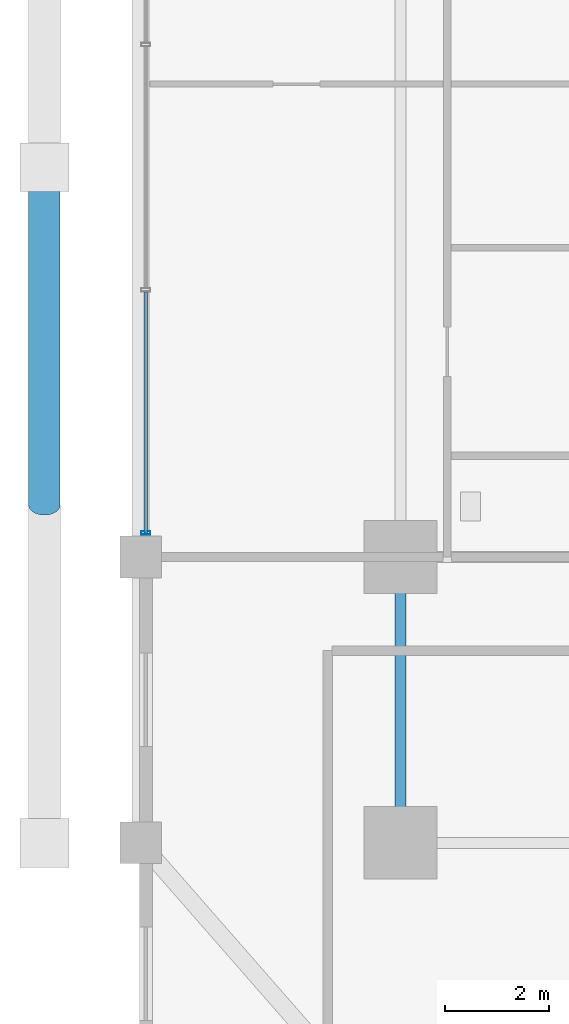
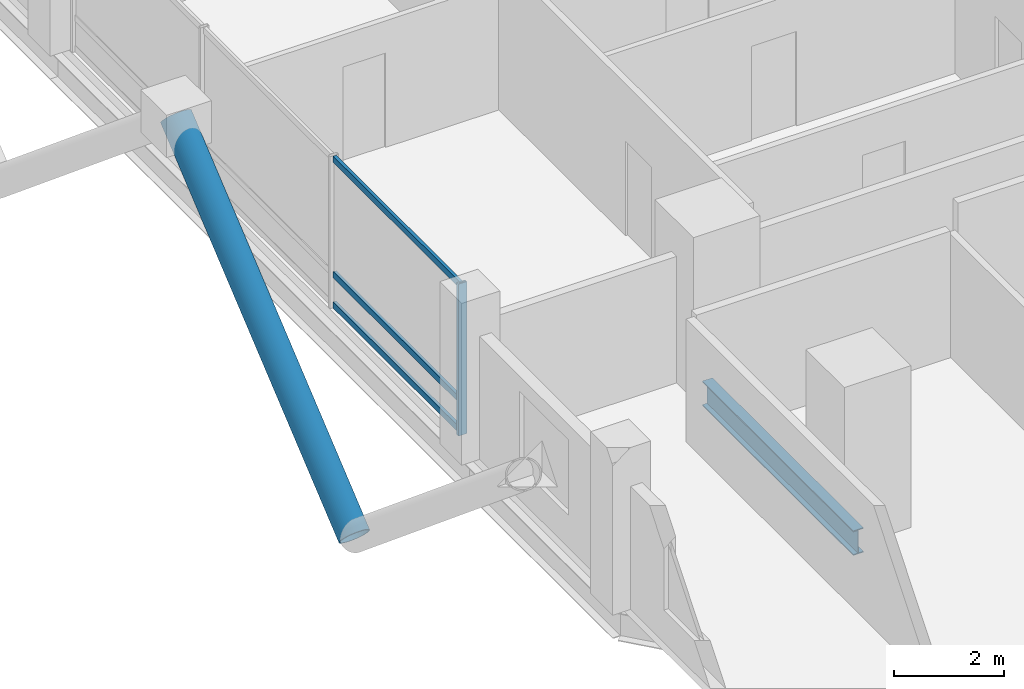
# One storey, part 4 of 24: 5 members, 1 beam, 1 element without a shape of its own.
"""IFC4 building model written with IfcOpenShell, lengths in metres."""

from ifc_helpers import new_model, si_unit, direction, frame, origin, origin_2d, place, context, subcontext, project, spatial, hollow_rectangle, hollow_circle, i_section, extrude, material, layer, layer_set, material_profile, profile_set, type_object, element, aggregate, save


model = new_model("IFC4")

# Units and contexts
model_context = context("Model", 3, precision=1e-05, world=origin(), true_north=direction((0.0, 1.0)))
body_context = subcontext(model_context, "Body", "Model", "MODEL_VIEW")
ifc_project = project(units=[si_unit("LENGTHUNIT", "METRE"), si_unit("AREAUNIT", "SQUARE_METRE"), si_unit("VOLUMEUNIT", "CUBIC_METRE"), si_unit("PLANEANGLEUNIT", "RADIAN"), si_unit("MASSUNIT", "GRAM", prefix="KILO")], contexts=[model_context])

# Site, building, storey
site_placement = place(None, origin())
site = spatial("IfcSite", under=ifc_project, at=site_placement, CompositionType="ELEMENT")
building_placement = place(site_placement, origin())
building = spatial("IfcBuilding", under=site, at=building_placement, Name="Barlavira Tower and Art Museum", CompositionType="ELEMENT")
storey_placement = place(building_placement, frame((0.0, 0.0, 46.800048828125)))
storey = spatial("IfcBuildingStorey", under=building, at=storey_placement, Name="L10", CompositionType="ELEMENT", Elevation=46.800048828125)

# Curtain wall, members
ifc_material_1 = material(Name="Low-iron coastal laminated glass", Category="glass")
ifc_layer = layer(ifc_material_1, 0.179931640625, Name="Low-iron coastal laminated glass")
ifc_layer_set = layer_set([ifc_layer], Name="Low-iron coastal laminated glass")
curtain_wall_type = type_object("IfcCurtainWallType", Name="Pale-Metal Unitised Curtain Wall Zone 1", PredefinedType="NOTDEFINED", material=ifc_layer_set)
curtain_wall_placement = place(storey_placement, origin())
curtain_wall = element("IfcCurtainWall", 1, at=curtain_wall_placement, inside=storey, type_object=curtain_wall_type, Name="L10 Curtain Wall CW1-L10-W-B3", PredefinedType="NOTDEFINED")
ifc_material_2 = material(Name="Pale anodised aluminium", Category="aluminium")
ifc_material_profile_1 = material_profile(ifc_material_2, hollow_rectangle(XDim=0.06494140625, YDim=0.179931640625, WallThickness=0.00390625, at=origin_2d()), Name="ALU-MULL 65x180x4")
ifc_profile_set_1 = profile_set([ifc_material_profile_1], Name="Pale anodised aluminium")
member_type_1 = type_object("IfcMemberType", Name="Curtain Wall Pale-Metal Mullion 65x180", PredefinedType="MULLION", material=ifc_profile_set_1)
member_1_placement = place(storey_placement, frame((-21.89990234375, -7.034912109375, 0.0), z_axis=(0.0, 0.0, 1.0), x_axis=(0.0, -1.0, 0.0)))
member_1 = element("IfcMember", 2, at=member_1_placement, type_object=member_type_1, Name="CW1-L10-W-B3 Mullion 3", PredefinedType="MULLION", context=body_context, shape_type="SweptSolid", body=[
    extrude(hollow_rectangle(XDim=0.06494140625, YDim=0.179931640625, WallThickness=0.00390625, at=origin_2d()), origin(), (0.0, 0.0, 1.0), 3.3798828125),
])
ifc_material_profile_2 = material_profile(ifc_material_2, hollow_rectangle(XDim=0.06494140625, YDim=0.139892578125, WallThickness=0.00390625, at=origin_2d()), Name="ALU-TRAN 65x140x4")
ifc_profile_set_2 = profile_set([ifc_material_profile_2], Name="Pale anodised aluminium")
member_type_2 = type_object("IfcMemberType", Name="Curtain Wall Pale-Metal Transom 65x140", PredefinedType="USERDEFINED", material=ifc_profile_set_2)
member_2_placement = place(storey_placement, frame((-21.89990234375, -2.405029296875, 0.070068359375), z_axis=(0.0, -1.0, 0.0), x_axis=(1.0, 0.0, 0.0)))
member_2 = element("IfcMember", 3, at=member_2_placement, type_object=member_type_2, Name="CW1-L10-W-B3 Transom 2.1", ObjectType="TRANSOM", PredefinedType="USERDEFINED", context=body_context, shape_type="SweptSolid", body=[
    extrude(hollow_rectangle(XDim=0.06494140625, YDim=0.139892578125, WallThickness=0.00390625, at=origin_2d()), origin(), (0.0, 0.0, 1.0), 4.6298828125),
])
member_3_placement = place(storey_placement, frame((-21.89990234375, -2.405029296875, 0.743896484375), z_axis=(0.0, -1.0, 0.0), x_axis=(1.0, 0.0, 0.0)))
member_3 = element("IfcMember", 4, at=member_3_placement, type_object=member_type_2, Name="CW1-L10-W-B3 Transom 2.2", ObjectType="TRANSOM", PredefinedType="USERDEFINED", context=body_context, shape_type="SweptSolid", body=[
    extrude(hollow_rectangle(XDim=0.06494140625, YDim=0.139892578125, WallThickness=0.00390625, at=origin_2d()), origin(), (0.0, 0.0, 1.0), 4.6298828125),
])
member_4_placement = place(storey_placement, frame((-21.89990234375, -2.405029296875, 3.31005859375), z_axis=(0.0, -1.0, 0.0), x_axis=(1.0, 0.0, 0.0)))
member_4 = element("IfcMember", 5, at=member_4_placement, type_object=member_type_2, Name="CW1-L10-W-B3 Transom 2.3", ObjectType="TRANSOM", PredefinedType="USERDEFINED", context=body_context, shape_type="SweptSolid", body=[
    extrude(hollow_rectangle(XDim=0.06494140625, YDim=0.139892578125, WallThickness=0.00390625, at=origin_2d()), origin(), (0.0, 0.0, 1.0), 4.6298828125),
])
aggregate(curtain_wall, [member_1, member_2, member_3, member_4])

# Member
ifc_material_3 = material(Name="Steel S355", Category="steel")
ifc_material_profile_3 = material_profile(ifc_material_3, hollow_circle(Radius=0.304931640625, WallThickness=0.028076171875, at=origin_2d()), Name="CHS 610.0x28.0")
ifc_profile_set_3 = profile_set([ifc_material_profile_3], Name="Steel S355")
member_type_3 = type_object("IfcMemberType", Name="Pale-Metal Exoskeleton Diagrid Tube CHS 610x28 Steel S355", PredefinedType="BRACE", material=ifc_profile_set_3)
member_5_placement = place(storey_placement, frame((-23.85009765625, -6.5, -1.920166015625), z_axis=(0.0, 0.76918185268, 0.639029950399), x_axis=(-1.0, 0.0, 0.0)))
element("IfcMember", 6, at=member_5_placement, inside=storey, type_object=member_type_3, Name="L10 Exoskeleton Diagrid Tube W", PredefinedType="BRACE", context=body_context, shape_type="SweptSolid", body=[
    extrude(hollow_circle(Radius=0.304931640625, WallThickness=0.028076171875, at=origin_2d()), origin(), (0.0, 0.0, 1.0), 8.450439453125),
])

# Beam
ifc_material_profile_4 = material_profile(ifc_material_3, i_section(OverallWidth=0.214111328125, OverallDepth=0.549072265625, WebThickness=0.0146484375, FlangeThickness=0.023681640625, at=origin_2d()), Name="W530x138.0")
ifc_profile_set_4 = profile_set([ifc_material_profile_4], Name="Steel S355")
beam_type = type_object("IfcBeamType", Name="Zone 1 Primary Floor Girder W530x138 Steel S355", PredefinedType="BEAM", material=ifc_profile_set_4)
beam_placement = place(storey_placement, frame((-17.0, -13.0, -0.49462890625), z_axis=(0.0, 1.0, 0.0), x_axis=(-1.0, 0.0, 0.0)))
element("IfcBeam", 7, at=beam_placement, inside=storey, type_object=beam_type, Name="L10 Girder M-W1", PredefinedType="BEAM", context=body_context, shape_type="SweptSolid", body=[
    extrude(i_section(OverallWidth=0.214111328125, OverallDepth=0.549072265625, WebThickness=0.0146484375, FlangeThickness=0.023681640625, at=origin_2d()), origin(), (0.0, 0.0, 1.0), 5.5),
])

save(model, "model.ifc")
